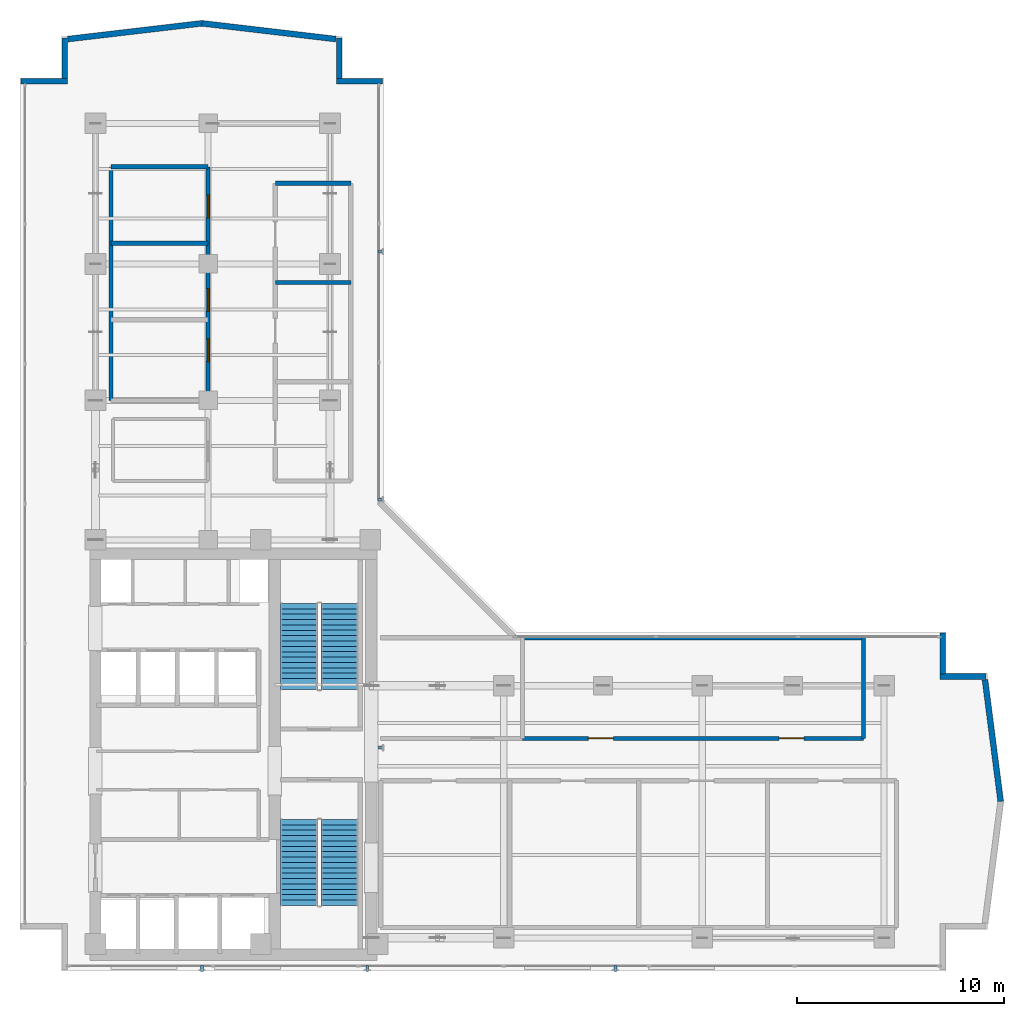
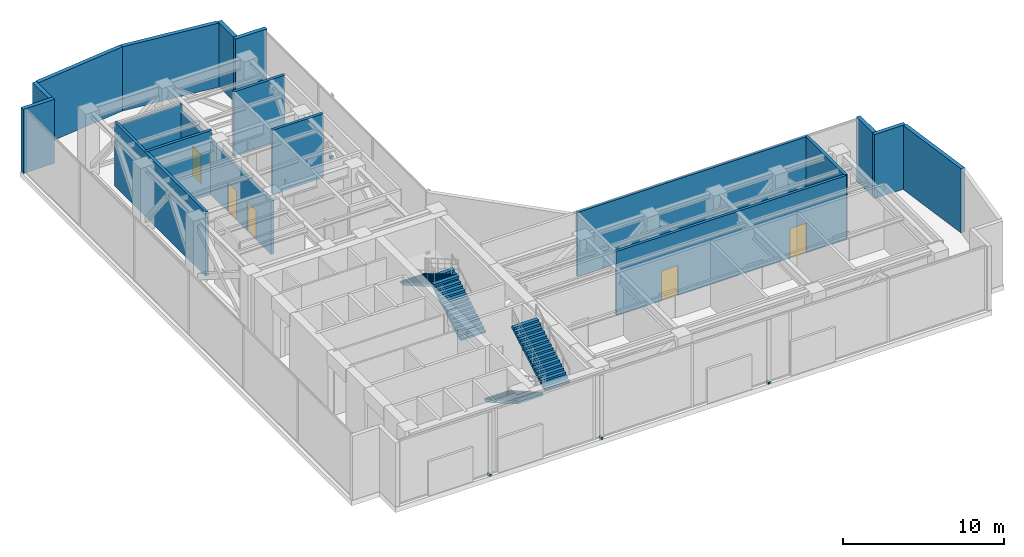
# One storey, part 28 of 31: 18 walls, 6 discrete accessories, 5 doors, 4 stair flights, 5 openings, 2 elements without a shape of their own.
"""IFC4 building model written with IfcOpenShell, lengths in metres."""

import ifcopenshell
import ifcopenshell.guid

model = None  # the IFC model being written
_history = None  # IfcOwnerHistory: only IFC2X3 demands one
_inside = {}  # id of a spatial element -> (the spatial element, [elements in it])
_under = {}  # id of a project, library or spatial element -> (it, [spatial elements below it])
_declared = {}  # id of a project -> (the project, [libraries it declares])
_typed = {}  # id of a type object -> (the type object, [elements of that type])
_made_of = {}  # id of a material, layer set ... -> (it, [elements and type objects made of it])


def new_model(schema):
    """Start an empty IFC model of exactly this schema.

    Asked for "IFC4X3", IfcOpenShell would pick the latest addendum, in which some entities
    have other attributes; the version numbers below select the first issue.
    IFC2X3 requires an IfcOwnerHistory on every rooted entity: one is made here for all.
    """
    global model, _history
    if schema == "IFC4X3":
        model = ifcopenshell.file(schema_version=(4, 3, 0, 0))
    else:
        model = ifcopenshell.file(schema=schema)
    _inside.clear()
    _under.clear()
    _declared.clear()
    _typed.clear()
    _made_of.clear()
    _history = None
    if model.schema == "IFC2X3":
        org = make("IfcOrganization", Name="unknown")
        user = make(
            "IfcPersonAndOrganization",
            ThePerson=make("IfcPerson", FamilyName="unknown"),
            TheOrganization=org,
        )
        app = make(
            "IfcApplication",
            ApplicationDeveloper=org,
            Version="unknown",
            ApplicationFullName="unknown",
            ApplicationIdentifier="unknown",
        )
        _history = make(
            "IfcOwnerHistory",
            OwningUser=user,
            OwningApplication=app,
            ChangeAction="ADDED",
            CreationDate=0,
        )
    return model


def make(cls, **values):
    """One entity of the class cls with the attributes given. An attribute that is None is left unset."""
    return model.create_entity(
        cls, **{name: value for name, value in values.items() if value is not None}
    )


def rooted(cls, **values):
    """An entity with a GlobalId (a new one), such as an element, a storey or a relation."""
    return make(cls, GlobalId=ifcopenshell.guid.new(), OwnerHistory=_history, **values)


def si_unit(unit_type, name, prefix=None):
    """IfcSIUnit, for example si_unit("LENGTHUNIT", "METRE", prefix="MILLI")."""
    return make("IfcSIUnit", UnitType=unit_type, Prefix=prefix, Name=name)


def assignment(units):
    """IfcUnitAssignment: the units of a project."""
    return None if units is None else make("IfcUnitAssignment", Units=units)


def point(xyz):
    """IfcCartesianPoint."""
    return None if xyz is None else make("IfcCartesianPoint", Coordinates=xyz)


def direction(xyz):
    """IfcDirection."""
    return None if xyz is None else make("IfcDirection", DirectionRatios=xyz)


def frame(location, z_axis=None, x_axis=None):
    """IfcAxis2Placement3D, a coordinate frame: its origin and axes. An axis left out is left unset."""
    return make(
        "IfcAxis2Placement3D",
        Location=point(location),
        Axis=direction(z_axis),
        RefDirection=direction(x_axis),
    )


def frame_2d(location, x_axis=None):
    """IfcAxis2Placement2D, a coordinate frame in the plane: its origin and x axis."""
    return make(
        "IfcAxis2Placement2D", Location=point(location), RefDirection=direction(x_axis)
    )


def origin():
    """The frame at (0, 0, 0) with its axes left unset."""
    return frame((0.0, 0.0, 0.0))


def origin_with_axes():
    """The frame at (0, 0, 0) with the z axis (0, 0, 1) and the x axis (1, 0, 0) written out."""
    return frame((0.0, 0.0, 0.0), z_axis=(0.0, 0.0, 1.0), x_axis=(1.0, 0.0, 0.0))


def origin_2d():
    """The frame at (0, 0) in the plane with its x axis left unset."""
    return frame_2d((0.0, 0.0))


def place(relative_to, where):
    """IfcLocalPlacement: puts the frame where relative to a parent placement (None: the world)."""
    return make(
        "IfcLocalPlacement", PlacementRelTo=relative_to, RelativePlacement=where
    )


def context(
    kind, dimensions, precision=None, world=None, true_north=None, identifier=None
):
    """IfcGeometricRepresentationContext, for example the 3D "Model" context."""
    return make(
        "IfcGeometricRepresentationContext",
        ContextIdentifier=identifier,
        ContextType=kind,
        CoordinateSpaceDimension=dimensions,
        Precision=precision,
        WorldCoordinateSystem=world,
        TrueNorth=true_north,
    )


def subcontext(parent, identifier, kind, view, scale=None):
    """IfcGeometricRepresentationSubContext, for example "Body" below "Model"."""
    return make(
        "IfcGeometricRepresentationSubContext",
        ContextIdentifier=identifier,
        ContextType=kind,
        ParentContext=parent,
        TargetScale=scale,
        TargetView=view,
    )


def project(units=None, contexts=None):
    """IfcProject with its units and contexts."""
    return rooted(
        "IfcProject",
        Name="project",
        RepresentationContexts=contexts,
        UnitsInContext=assignment(units),
    )


def spatial(cls, under=None, at=None, **own):
    """A site, building, storey or space (cls), placed at a placement, below another one or the project."""
    s = rooted(cls, ObjectPlacement=at, **own)
    if under is not None:
        _under.setdefault(under.id(), (under, []))[1].append(s)
    return s


def polyline(points):
    """IfcPolyline through the points."""
    return make("IfcPolyline", Points=[point(p) for p in points])


def profile(cls, at=None, kind="AREA", **sizes):
    """A parametric profile (cls). Its sizes go by their IFC names, for example OverallWidth=200.0."""
    return make(cls, ProfileType=kind, Position=at, **sizes)


def rectangle(**sizes):
    """IfcRectangleProfileDef."""
    return profile("IfcRectangleProfileDef", **sizes)


def outline(outer, holes=None, kind="AREA"):
    """IfcArbitraryClosedProfileDef: a profile drawn as a closed curve; with holes, ...WithVoids."""
    if holes is None:
        return make("IfcArbitraryClosedProfileDef", ProfileType=kind, OuterCurve=outer)
    return make(
        "IfcArbitraryProfileDefWithVoids",
        ProfileType=kind,
        OuterCurve=outer,
        InnerCurves=holes,
    )


def extrude(swept, where, along, depth):
    """IfcExtrudedAreaSolid: the profile swept, set in the frame where, extruded along a direction by depth."""
    return make(
        "IfcExtrudedAreaSolid",
        SweptArea=swept,
        Position=where,
        ExtrudedDirection=direction(along),
        Depth=depth,
    )


def shape(context_of_items, identifier, shape_type, items):
    """IfcShapeRepresentation: the items that make up one representation, for example the "Body"."""
    return make(
        "IfcShapeRepresentation",
        ContextOfItems=context_of_items,
        RepresentationIdentifier=identifier,
        RepresentationType=shape_type,
        Items=items,
    )


def source(mapping_origin, context_of_items, identifier, shape_type, items):
    """IfcRepresentationMap: a shape defined once, which mapped items show again and again."""
    return make(
        "IfcRepresentationMap",
        MappingOrigin=mapping_origin,
        MappedRepresentation=shape(context_of_items, identifier, shape_type, items),
    )


def transform(
    local_origin,
    x_axis=None,
    y_axis=None,
    z_axis=None,
    scale=None,
    scale2=None,
    scale3=None,
    uniform=True,
):
    """IfcCartesianTransformationOperator3D, or its non-uniform kind. x_axis, y_axis, z_axis: its Axis1, 2, 3."""
    if uniform:
        return make(
            "IfcCartesianTransformationOperator3D",
            Axis1=direction(x_axis),
            Axis2=direction(y_axis),
            LocalOrigin=point(local_origin),
            Scale=scale,
            Axis3=direction(z_axis),
        )
    return make(
        "IfcCartesianTransformationOperator3DnonUniform",
        Axis1=direction(x_axis),
        Axis2=direction(y_axis),
        LocalOrigin=point(local_origin),
        Scale=scale,
        Axis3=direction(z_axis),
        Scale2=scale2,
        Scale3=scale3,
    )


def mapped(mapping_source, mapping_target):
    """IfcMappedItem: shows the shape of a source again, moved by a transform."""
    return make(
        "IfcMappedItem", MappingSource=mapping_source, MappingTarget=mapping_target
    )


def material(Name=None, Category=None):
    """IfcMaterial."""
    return make("IfcMaterial", Name=Name, Category=Category)


def layer(
    of_material, thickness, ventilated=None, Name=None, Category=None, Priority=None
):
    """IfcMaterialLayer: one layer of a wall or slab, of a material (None: an air gap)."""
    return make(
        "IfcMaterialLayer",
        Material=of_material,
        LayerThickness=thickness,
        IsVentilated=ventilated,
        Name=Name,
        Category=Category,
        Priority=Priority,
    )


def layer_set(layers, Name=None):
    """IfcMaterialLayerSet."""
    return make("IfcMaterialLayerSet", MaterialLayers=layers, LayerSetName=Name)


def made_of(thing, what):
    """Note that an element or type object is made of a material, layer set ...; save() writes the relation."""
    if what is not None:
        _made_of.setdefault(what.id(), (what, []))[1].append(thing)
    return thing


def type_object(cls, material=None, **own):
    """A type object (cls), such as IfcWallType, which elements share."""
    return made_of(rooted(cls, **own), material)


def element(
    cls,
    number,
    at=None,
    inside=None,
    cuts=None,
    type_object=None,
    material=None,
    context=None,
    identifier="Body",
    shape_type=None,
    held_by="IfcProductDefinitionShape",
    body=None,
    shapes=None,
    **own,
):
    """One element of the class cls, such as IfcWall. Its Tag is "e" and its number.

    at: its placement. inside: the storey or other place that contains it. cuts: it is an
    opening in that element (IfcRelVoidsElement). A single representation is given by context,
    identifier, shape_type and body (its items); several are given by shapes. held_by: the class
    of the entity that holds the representations. save() writes the other relations.
    """
    e = rooted(cls, Tag="e%d" % number, ObjectPlacement=at, **own)
    if body is not None:
        shapes = [shape(context, identifier, shape_type, body)]
    if shapes is not None:
        e.Representation = make(held_by, Representations=shapes)
    if inside is not None:
        _inside.setdefault(inside.id(), (inside, []))[1].append(e)
    if cuts is not None:
        rooted(
            "IfcRelVoidsElement", RelatingBuildingElement=cuts, RelatedOpeningElement=e
        )
    if type_object is not None:
        _typed.setdefault(type_object.id(), (type_object, []))[1].append(e)
    return made_of(e, material)


def fill(opening, filler):
    """IfcRelFillsElement: the door or window that sits in an opening."""
    return rooted(
        "IfcRelFillsElement",
        RelatingOpeningElement=opening,
        RelatedBuildingElement=filler,
    )


def aggregate(whole, parts):
    """IfcRelAggregates: a whole, such as a stair, and the parts it consists of."""
    return rooted("IfcRelAggregates", RelatingObject=whole, RelatedObjects=parts)


def save(model, path):
    """Write the relations noted so far, then the file.

    IfcRelAggregates (storeys below a building ...), IfcRelContainedInSpatialStructure (elements
    in a storey), IfcRelDefinesByType, IfcRelAssociatesMaterial and IfcRelDeclares: one each for
    every whole, place, type object, material and project.
    """
    for whole, parts in _under.values():
        aggregate(whole, parts)
    for where, things in _inside.values():
        rooted(
            "IfcRelContainedInSpatialStructure",
            RelatedElements=things,
            RelatingStructure=where,
        )
    for kind, things in _typed.values():
        rooted("IfcRelDefinesByType", RelatedObjects=things, RelatingType=kind)
    for what, things in _made_of.values():
        rooted("IfcRelAssociatesMaterial", RelatedObjects=things, RelatingMaterial=what)
    for by, libraries in _declared.values():
        rooted("IfcRelDeclares", RelatingContext=by, RelatedDefinitions=libraries)
    model.write(path)


model = new_model("IFC4")

# Units and contexts
model_context = context("Model", 3, precision=1e-05, world=origin(), true_north=direction((0.0, 1.0)))
body_context = subcontext(model_context, "Body", "Model", "MODEL_VIEW")
ifc_project = project(units=[si_unit("LENGTHUNIT", "METRE"), si_unit("AREAUNIT", "SQUARE_METRE"), si_unit("VOLUMEUNIT", "CUBIC_METRE"), si_unit("PLANEANGLEUNIT", "RADIAN"), si_unit("MASSUNIT", "GRAM", prefix="KILO")], contexts=[model_context])

# Site, building, storey
site_placement = place(None, origin())
site = spatial("IfcSite", under=ifc_project, at=site_placement, CompositionType="ELEMENT")
building_placement = place(site_placement, origin())
building = spatial("IfcBuilding", under=site, at=building_placement, Name="Kolvaren Waterfront Exchange", CompositionType="ELEMENT")
storey_placement = place(building_placement, frame((0.0, 0.0, 257.699951171875)))
storey = spatial("IfcBuildingStorey", under=building, at=storey_placement, Name="L66", CompositionType="ELEMENT", Elevation=257.699951171875)

# Walls
ifc_material_1 = material(Name="Precast concrete C40/50", Category="concrete")
ifc_layer_1 = layer(ifc_material_1, 0.280029296875, Name="Precast concrete C40/50")
ifc_layer_set_1 = layer_set([ifc_layer_1], Name="Precast concrete C40/50")
wall_type_1 = type_object("IfcWallType", Name="ARC-EXT-TERR-280", PredefinedType="SOLIDWALL", material=ifc_layer_set_1)
wall_1_placement = place(storey_placement, frame((48.43994140625, 17.965087890625, 0.0), z_axis=(0.0, 0.0, 1.0), x_axis=(0.0, 1.0, 0.0)))
element("IfcWall", 1, at=wall_1_placement, inside=storey, type_object=wall_type_1, Name="L66 notched corner spandrel pier ENE-A", PredefinedType="SOLIDWALL", context=body_context, shape_type="SweptSolid", body=[
    extrude(rectangle(XDim=1.974853515625, YDim=0.280029296875, at=frame_2d((0.9873046875, 0.0))), origin(), (0.0, 0.0, 1.0), 4.860107421875),
])
for number, where, z_axis, x_axis, name in (
    (2, (48.300048828125, 17.840087890625, 0.0), (0.0, 0.0, 1.0), (1.0, 0.0, 0.0), "L66 notched corner spandrel pier ENE-B"),
    (3, (19.10009765625, 46.639892578125, 0.0), (0.0, 0.0, 1.0), (1.0, 0.0, 0.0), "L66 notched corner spandrel pier NNE-A"),
):
    element("IfcWall", number, at=place(storey_placement, frame(where, z_axis=z_axis, x_axis=x_axis)), inside=storey, type_object=wall_type_1, Name=name, PredefinedType="SOLIDWALL", context=body_context, shape_type="SweptSolid", body=[
        extrude(rectangle(XDim=2.239990234375, YDim=0.280029296875, at=frame_2d((1.1201171875, 0.0))), origin(), (0.0, 0.0, 1.0), 4.860107421875),
    ])
wall_2_placement = place(storey_placement, frame((19.239990234375, 46.780029296875, 0.0), z_axis=(0.0, 0.0, 1.0), x_axis=(0.0, 1.0, 0.0)))
element("IfcWall", 4, at=wall_2_placement, inside=storey, type_object=wall_type_1, Name="L66 notched corner spandrel pier NNE-B", PredefinedType="SOLIDWALL", context=body_context, shape_type="SweptSolid", body=[
    extrude(rectangle(XDim=1.9599609375, YDim=0.280029296875, at=frame_2d((0.97998046875, 0.0))), origin(), (0.0, 0.0, 1.0), 4.860107421875),
])
wall_3_placement = place(storey_placement, frame((3.860107421875, 46.639892578125, 0.0), z_axis=(0.0, 0.0, 1.0), x_axis=(1.0, 0.0, 0.0)))
element("IfcWall", 5, at=wall_3_placement, inside=storey, type_object=wall_type_1, Name="L66 notched corner spandrel pier NW-A", PredefinedType="SOLIDWALL", context=body_context, shape_type="SweptSolid", body=[
    extrude(rectangle(XDim=2.239990234375, YDim=0.280029296875, at=frame_2d((1.1201171875, 0.0))), origin(), (0.0, 0.0, 1.0), 4.860107421875),
])
wall_4_placement = place(storey_placement, frame((5.9599609375, 46.780029296875, 0.0), z_axis=(0.0, 0.0, 1.0), x_axis=(0.0, 1.0, 0.0)))
element("IfcWall", 6, at=wall_4_placement, inside=storey, type_object=wall_type_1, Name="L66 notched corner spandrel pier NW-B", PredefinedType="SOLIDWALL", context=body_context, shape_type="SweptSolid", body=[
    extrude(rectangle(XDim=1.9599609375, YDim=0.280029296875, at=frame_2d((0.97998046875, 0.0))), origin(), (0.0, 0.0, 1.0), 4.860107421875),
])
wall_5_placement = place(storey_placement, frame((51.23876953125, 11.79931640625, 0.0), z_axis=(0.0, 0.0, 1.0), x_axis=(-0.127970031595, 0.991778035154, 0.0)))
element("IfcWall", 7, at=wall_5_placement, inside=storey, type_object=wall_type_1, Name="L66 east prow faceted facade wall 2", PredefinedType="SOLIDWALL", context=body_context, shape_type="SweptSolid", body=[
    extrude(rectangle(XDim=5.931396484375, YDim=0.280029296875, at=frame_2d((2.9658203125, 0.0))), origin(), (0.0, 0.0, 1.0), 4.860107421875),
])
for number, where, z_axis, x_axis, name in (
    (8, (19.08349609375, 48.676025390625, 0.0), (0.0, 0.0, 1.0), (-0.993149072278, 0.11685426921, 0.0), "L66 north prow faceted facade wall 1"),
    (9, (12.598876953125, 49.438720703125, 0.0), (0.0, 0.0, 1.0), (-0.993149072278, -0.11685426921, 0.0), "L66 north prow faceted facade wall 2"),
):
    element("IfcWall", number, at=place(storey_placement, frame(where, z_axis=z_axis, x_axis=x_axis)), inside=storey, type_object=wall_type_1, Name=name, PredefinedType="SOLIDWALL", context=body_context, shape_type="SweptSolid", body=[
        extrude(rectangle(XDim=6.52685546875, YDim=0.280029296875, at=frame_2d((3.263427734375, 0.0))), origin(), (0.0, 0.0, 1.0), 4.860107421875),
    ])

# Wall, openings, doors
ifc_layer_2 = layer(ifc_material_1, 0.199951171875, Name="Precast concrete C40/50")
ifc_layer_set_2 = layer_set([ifc_layer_2], Name="Precast concrete C40/50")
wall_type_2 = type_object("IfcWallType", Name="ARC-FIRE-200", PredefinedType="PARTITIONING", material=ifc_layer_set_2)
wall_6_placement = place(storey_placement, frame((28.10009765625, 14.85009765625, 0.0), z_axis=(0.0, 0.0, 1.0), x_axis=(1.0, 0.0, 0.0)))
wall_6 = element("IfcWall", 10, at=wall_6_placement, inside=storey, type_object=wall_type_2, Name="L66 interior wall PW-L66-REF-S", PredefinedType="PARTITIONING", context=body_context, shape_type="SweptSolid", body=[
    extrude(rectangle(XDim=16.5, YDim=0.199951171875, at=frame_2d((8.25, 0.0))), origin(), (0.0, 0.0, 1.0), 4.860107421875),
])
opening_1_placement = place(wall_6_placement, frame((3.199951171875, 0.0, 0.0)))
opening_1 = element("IfcOpeningElement", 11, at=opening_1_placement, cuts=wall_6, Name="Opening FD3", PredefinedType="OPENING", context=body_context, shape_type="SweptSolid", body=[
    extrude(rectangle(XDim=1.199951171875, YDim=2.25, at=frame_2d((0.60009765625, 1.125))), frame((0.0, 0.10986328125, 0.0), z_axis=(0.0, -1.0, 0.0), x_axis=(1.0, 0.0, 0.0)), (0.0, 0.0, 1.0), 0.219970703125),
])
opening_2_placement = place(wall_6_placement, frame((12.421142578125, 0.0, 0.0)))
opening_2 = element("IfcOpeningElement", 12, at=opening_2_placement, cuts=wall_6, Name="Opening FD3", PredefinedType="OPENING", context=body_context, shape_type="SweptSolid", body=[
    extrude(rectangle(XDim=1.199951171875, YDim=2.25, at=frame_2d((0.60009765625, 1.125))), frame((0.0, 0.10986328125, 0.0), z_axis=(0.0, -1.0, 0.0), x_axis=(1.0, 0.0, 0.0)), (0.0, 0.0, 1.0), 0.219970703125),
])
ifc_material_2 = material(Name="Pressed steel fire door", Category="steel")
door_type_1 = type_object("IfcDoorType", Name="ARC-FD-1200", OperationType="NOTDEFINED", PredefinedType="DOOR", material=ifc_material_2)
door_1_placement = place(opening_1_placement, origin())
door_1 = element("IfcDoor", 13, at=door_1_placement, inside=storey, type_object=door_type_1, Name="L66 door DR-L66-REF-D1 (FD3)", OperationType="SINGLE_SWING_LEFT", OverallHeight=2.25, OverallWidth=1.199951171875, PredefinedType="DOOR", context=body_context, shape_type="SweptSolid", body=[
    extrude(rectangle(XDim=1.199951171875, YDim=2.25, at=frame_2d((0.60009765625, 1.125))), frame((0.0, 0.02490234375, 0.0), z_axis=(0.0, -1.0, 0.0), x_axis=(1.0, 0.0, 0.0)), (0.0, 0.0, 1.0), 0.050048828125),
])
fill(opening_1, door_1)
door_2_placement = place(opening_2_placement, origin())
door_2 = element("IfcDoor", 14, at=door_2_placement, inside=storey, type_object=door_type_1, Name="L66 door DR-L66-REF-D2 (FD3)", OperationType="SINGLE_SWING_RIGHT", OverallHeight=2.25, OverallWidth=1.199951171875, PredefinedType="DOOR", context=body_context, shape_type="SweptSolid", body=[
    extrude(rectangle(XDim=1.199951171875, YDim=2.25, at=frame_2d((0.60009765625, 1.125))), frame((0.0, 0.02490234375, 0.0), z_axis=(0.0, -1.0, 0.0), x_axis=(1.0, 0.0, 0.0)), (0.0, 0.0, 1.0), 0.050048828125),
])
fill(opening_2, door_2)

# Walls
wall_7_placement = place(storey_placement, frame((44.60009765625, 14.85009765625, 0.0), z_axis=(0.0, 0.0, 1.0), x_axis=(0.0, 1.0, 0.0)))
element("IfcWall", 15, at=wall_7_placement, inside=storey, type_object=wall_type_2, Name="L66 interior wall PW-L66-REF-E", PredefinedType="PARTITIONING", context=body_context, shape_type="SweptSolid", body=[
    extrude(rectangle(XDim=4.869873046875, YDim=0.199951171875, at=frame_2d((2.43505859375, 0.0))), origin(), (0.0, 0.0, 1.0), 4.860107421875),
])
wall_8_placement = place(storey_placement, frame((28.10009765625, 19.719970703125, 0.0), z_axis=(0.0, 0.0, 1.0), x_axis=(1.0, 0.0, 0.0)))
element("IfcWall", 16, at=wall_8_placement, inside=storey, type_object=wall_type_2, Name="L66 interior wall PW-L66-REF-N", PredefinedType="PARTITIONING", context=body_context, shape_type="SweptSolid", body=[
    extrude(rectangle(XDim=16.5, YDim=0.199951171875, at=frame_2d((8.25, 0.0))), origin(), (0.0, 0.0, 1.0), 4.860107421875),
])

# Wall, openings, doors
wall_9_placement = place(storey_placement, frame((12.89990234375, 31.199951171875, 0.0), z_axis=(0.0, 0.0, 1.0), x_axis=(0.0, 1.0, 0.0)))
wall_9 = element("IfcWall", 17, at=wall_9_placement, inside=storey, type_object=wall_type_2, Name="L66 interior wall PW-L66-PL-E3", PredefinedType="PARTITIONING", context=body_context, shape_type="SweptSolid", body=[
    extrude(rectangle(XDim=11.300048828125, YDim=0.199951171875, at=frame_2d((5.64990234375, 0.0))), origin(), (0.0, 0.0, 1.0), 4.06005859375),
])
opening_3_placement = place(wall_9_placement, frame((1.875, 0.0, 0.0)))
opening_3 = element("IfcOpeningElement", 18, at=opening_3_placement, cuts=wall_9, Name="Opening FD2", PredefinedType="OPENING", context=body_context, shape_type="SweptSolid", body=[
    extrude(rectangle(XDim=1.10009765625, YDim=2.199951171875, at=frame_2d((0.550048828125, 1.10009765625))), frame((0.0, 0.10986328125, 0.0), z_axis=(0.0, -1.0, 0.0), x_axis=(1.0, 0.0, 0.0)), (0.0, 0.0, 1.0), 0.219970703125),
])
opening_4_placement = place(wall_9_placement, frame((4.300048828125, 0.0, 0.0)))
opening_4 = element("IfcOpeningElement", 19, at=opening_4_placement, cuts=wall_9, Name="Opening FD2", PredefinedType="OPENING", context=body_context, shape_type="SweptSolid", body=[
    extrude(rectangle(XDim=1.10009765625, YDim=2.199951171875, at=frame_2d((0.550048828125, 1.10009765625))), frame((0.0, 0.10986328125, 0.0), z_axis=(0.0, -1.0, 0.0), x_axis=(1.0, 0.0, 0.0)), (0.0, 0.0, 1.0), 0.219970703125),
])
opening_5_placement = place(wall_9_placement, frame((8.827392578125, 0.0, 0.0)))
opening_5 = element("IfcOpeningElement", 20, at=opening_5_placement, cuts=wall_9, Name="Opening FD2", PredefinedType="OPENING", context=body_context, shape_type="SweptSolid", body=[
    extrude(rectangle(XDim=1.10009765625, YDim=2.199951171875, at=frame_2d((0.550048828125, 1.10009765625))), frame((0.0, 0.10986328125, 0.0), z_axis=(0.0, -1.0, 0.0), x_axis=(1.0, 0.0, 0.0)), (0.0, 0.0, 1.0), 0.219970703125),
])
ifc_material_3 = material(Name="Pressed steel smoke-seal fire door", Category="steel")
door_type_2 = type_object("IfcDoorType", Name="ARC-FD-1100", OperationType="NOTDEFINED", PredefinedType="DOOR", material=ifc_material_3)
door_3_placement = place(opening_3_placement, origin())
door_3 = element("IfcDoor", 21, at=door_3_placement, inside=storey, type_object=door_type_2, Name="L66 door DR-L66-PLNW-D1 (FD2)", OperationType="SINGLE_SWING_LEFT", OverallHeight=2.199951171875, OverallWidth=1.10009765625, PredefinedType="DOOR", context=body_context, shape_type="SweptSolid", body=[
    extrude(rectangle(XDim=1.10009765625, YDim=2.199951171875, at=frame_2d((0.550048828125, 1.10009765625))), frame((0.0, 0.02490234375, 0.0), z_axis=(0.0, -1.0, 0.0), x_axis=(1.0, 0.0, 0.0)), (0.0, 0.0, 1.0), 0.050048828125),
])
fill(opening_3, door_3)
door_4_placement = place(opening_4_placement, origin())
door_4 = element("IfcDoor", 22, at=door_4_placement, inside=storey, type_object=door_type_2, Name="L66 door DR-L66-PLNW-D2 (FD2)", OperationType="SINGLE_SWING_RIGHT", OverallHeight=2.199951171875, OverallWidth=1.10009765625, PredefinedType="DOOR", context=body_context, shape_type="SweptSolid", body=[
    extrude(rectangle(XDim=1.10009765625, YDim=2.199951171875, at=frame_2d((0.550048828125, 1.10009765625))), frame((0.0, 0.02490234375, 0.0), z_axis=(0.0, -1.0, 0.0), x_axis=(1.0, 0.0, 0.0)), (0.0, 0.0, 1.0), 0.050048828125),
])
fill(opening_4, door_4)
door_5_placement = place(opening_5_placement, origin())
door_5 = element("IfcDoor", 23, at=door_5_placement, inside=storey, type_object=door_type_2, Name="L66 door DR-L66-PLNW-D3 (FD2)", OperationType="SINGLE_SWING_LEFT", OverallHeight=2.199951171875, OverallWidth=1.10009765625, PredefinedType="DOOR", context=body_context, shape_type="SweptSolid", body=[
    extrude(rectangle(XDim=1.10009765625, YDim=2.199951171875, at=frame_2d((0.550048828125, 1.10009765625))), frame((0.0, 0.02490234375, 0.0), z_axis=(0.0, -1.0, 0.0), x_axis=(1.0, 0.0, 0.0)), (0.0, 0.0, 1.0), 0.050048828125),
])
fill(opening_5, door_5)

# Walls
wall_10_placement = place(storey_placement, frame((8.199951171875, 31.199951171875, 0.0), z_axis=(0.0, 0.0, 1.0), x_axis=(0.0, 1.0, 0.0)))
element("IfcWall", 24, at=wall_10_placement, inside=storey, type_object=wall_type_2, Name="L66 interior wall PW-L66-PL-W3", PredefinedType="PARTITIONING", context=body_context, shape_type="SweptSolid", body=[
    extrude(rectangle(XDim=11.300048828125, YDim=0.199951171875, at=frame_2d((5.64990234375, 0.0))), origin(), (0.0, 0.0, 1.0), 4.860107421875),
])
wall_11_placement = place(storey_placement, frame((8.199951171875, 42.5, 0.0), z_axis=(0.0, 0.0, 1.0), x_axis=(1.0, 0.0, 0.0)))
element("IfcWall", 25, at=wall_11_placement, inside=storey, type_object=wall_type_2, Name="L66 interior wall PW-L66-PL-N3", PredefinedType="PARTITIONING", context=body_context, shape_type="SweptSolid", body=[
    extrude(rectangle(XDim=4.699951171875, YDim=0.199951171875, at=frame_2d((2.35009765625, 0.0))), origin(), (0.0, 0.0, 1.0), 4.56005859375),
])
wall_12_placement = place(storey_placement, frame((8.199951171875, 38.800048828125, 0.0), z_axis=(0.0, 0.0, 1.0), x_axis=(1.0, 0.0, 0.0)))
element("IfcWall", 26, at=wall_12_placement, inside=storey, type_object=wall_type_2, Name="L66 interior wall PW-L66-PL-M3-2", PredefinedType="PARTITIONING", context=body_context, shape_type="SweptSolid", body=[
    extrude(rectangle(XDim=4.699951171875, YDim=0.199951171875, at=frame_2d((2.35009765625, 0.0))), origin(), (0.0, 0.0, 1.0), 4.860107421875),
])
for number, where, z_axis, x_axis, name in (
    (27, (16.14990234375, 41.699951171875, 0.0), (0.0, 0.0, 1.0), (1.0, 0.0, 0.0), "L66 interior wall PW-L66-PL-N4"),
    (28, (16.14990234375, 36.89990234375, 0.0), (0.0, 0.0, 1.0), (1.0, 0.0, 0.0), "L66 interior wall PW-L66-PL-M4-2"),
):
    element("IfcWall", number, at=place(storey_placement, frame(where, z_axis=z_axis, x_axis=x_axis)), inside=storey, type_object=wall_type_2, Name=name, PredefinedType="PARTITIONING", context=body_context, shape_type="SweptSolid", body=[
        extrude(rectangle(XDim=3.650146484375, YDim=0.199951171875, at=frame_2d((1.8251953125, 0.0))), origin(), (0.0, 0.0, 1.0), 4.860107421875),
    ])

# Stair, stair flights
ifc_material_4 = material(Name="Concrete C40/50", Category="concrete")
stair_type = type_object("IfcStairType", Name="ARC-STAIR-5100", PredefinedType="HALF_TURN_STAIR", material=ifc_material_4)
stair_1_placement = place(storey_placement, origin())
stair_1 = element("IfcStair", 29, at=stair_1_placement, inside=storey, type_object=stair_type, Name="L66 Smoke-proof exit stair ST1", PredefinedType="HALF_TURN_STAIR")
stair_flight_type = type_object("IfcStairFlightType", Name="ARC-FLIGHT-5100", PredefinedType="STRAIGHT", material=ifc_material_4)
stair_flight_1_placement = place(storey_placement, frame((17.300048828125, 10.929931640625, 0.0), z_axis=(0.0, 0.0, 1.0), x_axis=(0.0, -1.0, 0.0)))
stair_flight_1 = element("IfcStairFlight", 30, at=stair_flight_1_placement, type_object=stair_flight_type, Name="ST1 flight 1", NumberOfRisers=17, NumberOfTreads=16, PredefinedType="STRAIGHT", RiserHeight=0.15, TreadLength=0.26, context=body_context, shape_type="SweptSolid", body=[
    extrude(outline(polyline([(0.0, 0.0), (0.0, 0.14990234375), (0.260009765625, 0.14990234375), (0.260009765625, 0.300048828125), (0.52001953125, 0.300048828125), (0.52001953125, 0.449951171875), (0.780029296875, 0.449951171875), (0.780029296875, 0.60009765625), (1.0400390625, 0.60009765625), (1.0400390625, 0.75), (1.300048828125, 0.75), (1.300048828125, 0.89990234375), (1.56005859375, 0.89990234375), (1.56005859375, 1.050048828125), (1.820068359375, 1.050048828125), (1.820068359375, 1.199951171875), (2.080078125, 1.199951171875), (2.080078125, 1.35009765625), (2.340087890625, 1.35009765625), (2.340087890625, 1.5), (2.60009765625, 1.5), (2.60009765625, 1.64990234375), (2.860107421875, 1.64990234375), (2.860107421875, 1.800048828125), (3.1201171875, 1.800048828125), (3.1201171875, 1.949951171875), (3.3798828125, 1.949951171875), (3.3798828125, 2.10009765625), (3.639892578125, 2.10009765625), (3.639892578125, 2.25), (3.89990234375, 2.25), (3.89990234375, 2.39990234375), (4.159912109375, 2.39990234375), (4.159912109375, 2.550048828125), (4.159912109375, 2.22705078125), (0.300048828125, 0.0), (0.0, 0.0)])), frame((0.0, 0.89990234375, 0.0), z_axis=(0.0, -1.0, 0.0), x_axis=(1.0, 0.0, 0.0)), (0.0, 0.0, 1.0), 1.800048828125),
])
stair_flight_2_placement = place(storey_placement, frame((19.260009765625, 6.77001953125, 2.550048828125), z_axis=(0.0, 0.0, 1.0), x_axis=(0.0, 1.0, 0.0)))
stair_flight_2 = element("IfcStairFlight", 31, at=stair_flight_2_placement, type_object=stair_flight_type, Name="ST1 flight 2", NumberOfRisers=17, NumberOfTreads=16, PredefinedType="STRAIGHT", RiserHeight=0.15, TreadLength=0.26, context=body_context, shape_type="SweptSolid", body=[
    extrude(outline(polyline([(0.0, 0.0), (0.0, 0.14990234375), (0.260009765625, 0.14990234375), (0.260009765625, 0.300048828125), (0.52001953125, 0.300048828125), (0.52001953125, 0.449951171875), (0.780029296875, 0.449951171875), (0.780029296875, 0.60009765625), (1.0400390625, 0.60009765625), (1.0400390625, 0.75), (1.300048828125, 0.75), (1.300048828125, 0.89990234375), (1.56005859375, 0.89990234375), (1.56005859375, 1.050048828125), (1.820068359375, 1.050048828125), (1.820068359375, 1.199951171875), (2.080078125, 1.199951171875), (2.080078125, 1.35009765625), (2.340087890625, 1.35009765625), (2.340087890625, 1.5), (2.60009765625, 1.5), (2.60009765625, 1.64990234375), (2.860107421875, 1.64990234375), (2.860107421875, 1.800048828125), (3.1201171875, 1.800048828125), (3.1201171875, 1.949951171875), (3.3798828125, 1.949951171875), (3.3798828125, 2.10009765625), (3.639892578125, 2.10009765625), (3.639892578125, 2.25), (3.89990234375, 2.25), (3.89990234375, 2.39990234375), (4.159912109375, 2.39990234375), (4.159912109375, 2.550048828125), (4.159912109375, 2.22705078125), (0.300048828125, 0.0), (0.0, 0.0)])), frame((0.0, 0.89990234375, 0.0), z_axis=(0.0, -1.0, 0.0), x_axis=(1.0, 0.0, 0.0)), (0.0, 0.0, 1.0), 1.800048828125),
])
aggregate(stair_1, [stair_flight_1, stair_flight_2])

stair_2_placement = place(storey_placement, origin())
stair_2 = element("IfcStair", 32, at=stair_2_placement, inside=storey, type_object=stair_type, Name="L66 Smoke-proof exit stair ST2", PredefinedType="HALF_TURN_STAIR")
stair_flight_3_placement = place(storey_placement, frame((19.260009765625, 17.219970703125, 0.0), z_axis=(0.0, 0.0, 1.0), x_axis=(0.0, 1.0, 0.0)))
stair_flight_3 = element("IfcStairFlight", 33, at=stair_flight_3_placement, type_object=stair_flight_type, Name="ST2 flight 1", NumberOfRisers=17, NumberOfTreads=16, PredefinedType="STRAIGHT", RiserHeight=0.15, TreadLength=0.26, context=body_context, shape_type="SweptSolid", body=[
    extrude(outline(polyline([(0.0, 0.0), (0.0, 0.14990234375), (0.260009765625, 0.14990234375), (0.260009765625, 0.300048828125), (0.52001953125, 0.300048828125), (0.52001953125, 0.449951171875), (0.780029296875, 0.449951171875), (0.780029296875, 0.60009765625), (1.0400390625, 0.60009765625), (1.0400390625, 0.75), (1.300048828125, 0.75), (1.300048828125, 0.89990234375), (1.56005859375, 0.89990234375), (1.56005859375, 1.050048828125), (1.820068359375, 1.050048828125), (1.820068359375, 1.199951171875), (2.080078125, 1.199951171875), (2.080078125, 1.35009765625), (2.340087890625, 1.35009765625), (2.340087890625, 1.5), (2.60009765625, 1.5), (2.60009765625, 1.64990234375), (2.860107421875, 1.64990234375), (2.860107421875, 1.800048828125), (3.1201171875, 1.800048828125), (3.1201171875, 1.949951171875), (3.3798828125, 1.949951171875), (3.3798828125, 2.10009765625), (3.639892578125, 2.10009765625), (3.639892578125, 2.25), (3.89990234375, 2.25), (3.89990234375, 2.39990234375), (4.159912109375, 2.39990234375), (4.159912109375, 2.550048828125), (4.159912109375, 2.22705078125), (0.300048828125, 0.0), (0.0, 0.0)])), frame((0.0, 0.89990234375, 0.0), z_axis=(0.0, -1.0, 0.0), x_axis=(1.0, 0.0, 0.0)), (0.0, 0.0, 1.0), 1.800048828125),
])
stair_flight_4_placement = place(storey_placement, frame((17.300048828125, 21.3798828125, 2.550048828125), z_axis=(0.0, 0.0, 1.0), x_axis=(0.0, -1.0, 0.0)))
stair_flight_4 = element("IfcStairFlight", 34, at=stair_flight_4_placement, type_object=stair_flight_type, Name="ST2 flight 2", NumberOfRisers=17, NumberOfTreads=16, PredefinedType="STRAIGHT", RiserHeight=0.15, TreadLength=0.26, context=body_context, shape_type="SweptSolid", body=[
    extrude(outline(polyline([(0.0, 0.0), (0.0, 0.14990234375), (0.260009765625, 0.14990234375), (0.260009765625, 0.300048828125), (0.52001953125, 0.300048828125), (0.52001953125, 0.449951171875), (0.780029296875, 0.449951171875), (0.780029296875, 0.60009765625), (1.0400390625, 0.60009765625), (1.0400390625, 0.75), (1.300048828125, 0.75), (1.300048828125, 0.89990234375), (1.56005859375, 0.89990234375), (1.56005859375, 1.050048828125), (1.820068359375, 1.050048828125), (1.820068359375, 1.199951171875), (2.080078125, 1.199951171875), (2.080078125, 1.35009765625), (2.340087890625, 1.35009765625), (2.340087890625, 1.5), (2.60009765625, 1.5), (2.60009765625, 1.64990234375), (2.860107421875, 1.64990234375), (2.860107421875, 1.800048828125), (3.1201171875, 1.800048828125), (3.1201171875, 1.949951171875), (3.3798828125, 1.949951171875), (3.3798828125, 2.10009765625), (3.639892578125, 2.10009765625), (3.639892578125, 2.25), (3.89990234375, 2.25), (3.89990234375, 2.39990234375), (4.159912109375, 2.39990234375), (4.159912109375, 2.550048828125), (4.159912109375, 2.22705078125), (0.300048828125, 0.0), (0.0, 0.0)])), frame((0.0, 0.89990234375, 0.0), z_axis=(0.0, -1.0, 0.0), x_axis=(1.0, 0.0, 0.0)), (0.0, 0.0, 1.0), 1.800048828125),
])
aggregate(stair_2, [stair_flight_3, stair_flight_4])

# Discrete accessories
ifc_material_5 = material(Name="Stainless steel 316", Category="steel")
discrete_accessory_type = type_object("IfcDiscreteAccessoryType", Name="ARC-BRK-FIN", PredefinedType="BRACKET", material=ifc_material_5)
shared_shape = source(origin_with_axes(), body_context, "Body", "SweptSolid", [
    extrude(rectangle(XDim=0.280029296875, YDim=0.139892578125, at=origin_2d()), origin(), (0.0, 0.0, 1.0), 0.159912109375),
])
for number, where, z_axis, x_axis, name in (
    (35, (12.60009765625, 3.719970703125, 0.0), (0.0, 0.0, 1.0), (0.0, -1.0, 0.0), "L66 bronze fin anchor bracket FIN-L66-S1"),
    (36, (20.60009765625, 3.719970703125, 0.0), (0.0, 0.0, 1.0), (0.0, -1.0, 0.0), "L66 bronze fin anchor bracket FIN-L66-S2"),
    (37, (32.60009765625, 3.719970703125, 0.0), (0.0, 0.0, 1.0), (0.0, -1.0, 0.0), "L66 bronze fin anchor bracket FIN-L66-S3"),
    (38, (21.280029296875, 14.39990234375, 0.0), (0.0, 0.0, 1.0), (1.0, 0.0, 0.0), "L66 bronze fin anchor bracket FIN-L66-E1"),
    (39, (21.280029296875, 26.39990234375, 0.0), (0.0, 0.0, 1.0), (1.0, 0.0, 0.0), "L66 bronze fin anchor bracket FIN-L66-E2"),
    (40, (21.280029296875, 38.39990234375, 0.0), (0.0, 0.0, 1.0), (1.0, 0.0, 0.0), "L66 bronze fin anchor bracket FIN-L66-E3"),
):
    element("IfcDiscreteAccessory", number, at=place(storey_placement, frame(where, z_axis=z_axis, x_axis=x_axis)), inside=storey, type_object=discrete_accessory_type, Name=name, PredefinedType="BRACKET", context=body_context, shape_type="MappedRepresentation", body=[
        mapped(shared_shape, transform((0.0, 0.0, 0.0), x_axis=(1.0, 0.0, 0.0), y_axis=(0.0, 1.0, 0.0), z_axis=(0.0, 0.0, 1.0), scale=1.0)),
    ])

save(model, "model.ifc")
